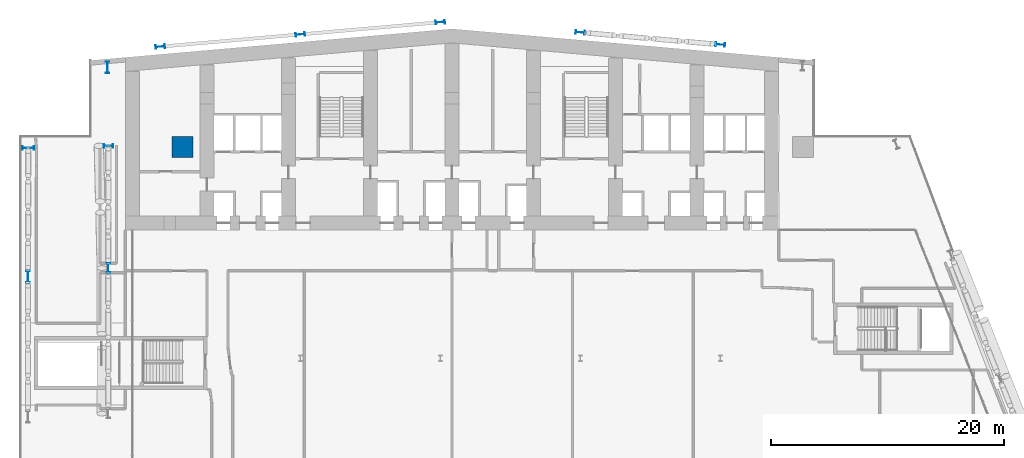
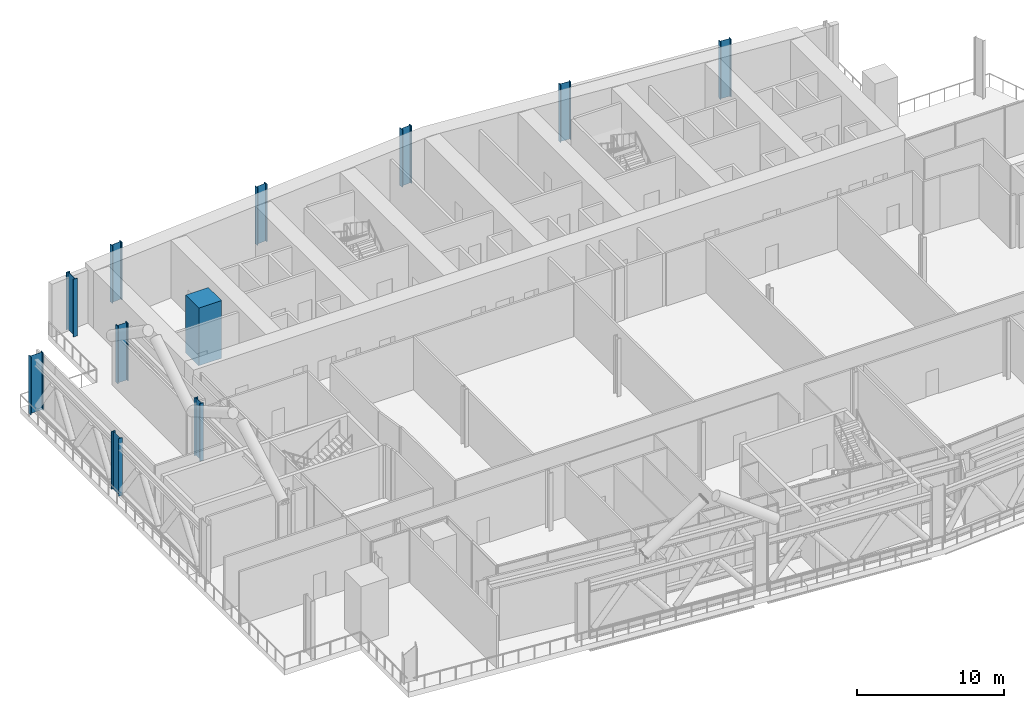
# One storey, part 3 of 39: 11 columns.
"""IFC4 building model written with IfcOpenShell, lengths in metres."""

from ifc_helpers import new_model, si_unit, direction, frame, origin, origin_2d, place, context, subcontext, project, spatial, rectangle, i_section, extrude, material, material_profile, profile_set, type_object, element, save


model = new_model("IFC4")

# Units and contexts
model_context = context("Model", 3, precision=1e-05, world=origin(), true_north=direction((0.0, 1.0)))
body_context = subcontext(model_context, "Body", "Model", "MODEL_VIEW")
ifc_project = project(units=[si_unit("LENGTHUNIT", "METRE"), si_unit("AREAUNIT", "SQUARE_METRE"), si_unit("VOLUMEUNIT", "CUBIC_METRE"), si_unit("PLANEANGLEUNIT", "RADIAN"), si_unit("MASSUNIT", "GRAM", prefix="KILO")], contexts=[model_context])

# Site, building, storey
site_placement = place(None, origin())
site = spatial("IfcSite", under=ifc_project, at=site_placement, CompositionType="ELEMENT")
building_placement = place(site_placement, origin())
building = spatial("IfcBuilding", under=site, at=building_placement, Name="Wharfspan Tower", CompositionType="ELEMENT")
storey_placement = place(building_placement, frame((0.0, 0.0, 91.899902)))
storey = spatial("IfcBuildingStorey", under=building, at=storey_placement, Name="L20", CompositionType="ELEMENT", Elevation=91.899902)

# Columns
ifc_material_1 = material(Name="Steel S355J2", Category="steel")
ifc_material_profile_1 = material_profile(ifc_material_1, i_section(OverallWidth=0.302002, OverallDepth=1.008057, WebThickness=0.020996, FlangeThickness=0.040039, FilletRadius=0.030029, at=origin_2d()))
ifc_profile_set_1 = profile_set([ifc_material_profile_1], Name="Steel S355J2")
column_type_1 = type_object("IfcColumnType", Name="Column HEM 1000", PredefinedType="COLUMN", material=ifc_profile_set_1)
for number, where, z_axis, x_axis, name in (
    (1, (7.466553, 47.933594, 0.0), (0.0, 0.0, 1.0), (-1.0, 0.0, 0.0), "Perimeter column PNRW-V.1.S L20"),
    (2, (0.684814, 41.03418, 0.0), (0.0, 0.0, 1.0), (0.0, 1.0, 0.0), "Perimeter column PNRW-H.1.S L20"),
    (3, (0.659912, 30.0, 0.0), (0.0, 0.0, 1.0), (-1.0, 0.0, 0.0), "Perimeter column PW.1.S L20"),
):
    element("IfcColumn", number, at=place(storey_placement, frame(where, z_axis=z_axis, x_axis=x_axis)), inside=storey, type_object=column_type_1, Name=name, PredefinedType="COLUMN", context=body_context, shape_type="SweptSolid", body=[
        extrude(i_section(OverallWidth=0.302002, OverallDepth=1.008057, WebThickness=0.020996, FlangeThickness=0.040039, FilletRadius=0.030029, at=origin_2d()), origin(), (0.0, 0.0, 1.0), 4.800049),
    ])
ifc_material_profile_2 = material_profile(ifc_material_1, i_section(OverallWidth=0.302979, OverallDepth=0.813965, WebThickness=0.020996, FlangeThickness=0.040039, FilletRadius=0.030029, at=origin_2d()))
ifc_profile_set_2 = profile_set([ifc_material_profile_2], Name="Steel S355J2")
column_type_2 = type_object("IfcColumnType", Name="Column HEM 800", PredefinedType="COLUMN", material=ifc_profile_set_2)
for number, where, z_axis, x_axis, name in (
    (4, (7.544434, 41.208008, 0.0), (0.0, 0.0, 1.0), (0.0, 1.0, 0.0), "Perimeter column PNRW-H.1 L20"),
    (5, (7.540039, 30.733398, 0.0), (0.0, 0.0, 1.0), (-1.0, 0.0, 0.0), "Perimeter column PW.1 L20"),
    (6, (12.0, 49.709961, 0.0), (0.0, 0.0, 1.0), (-0.087156, 0.996197, 0.0), "Rear column R.1 L20"),
    (7, (24.0, 50.759766, 0.0), (0.0, 0.0, 1.0), (-0.087156, 0.996197, 0.0), "Rear column R.2 L20"),
    (8, (36.0, 51.80957, 0.0), (0.0, 0.0, 1.0), (-0.087156, 0.996197, 0.0), "Rear column R.3 L20"),
    (9, (48.0, 50.934814, 0.0), (0.0, 0.0, 1.0), (0.087156, 0.996197, 0.0), "Rear column R.4 L20"),
    (10, (60.0, 49.884766, 0.0), (0.0, 0.0, 1.0), (0.087156, 0.996197, 0.0), "Rear column R.5 L20"),
):
    element("IfcColumn", number, at=place(storey_placement, frame(where, z_axis=z_axis, x_axis=x_axis)), inside=storey, type_object=column_type_2, Name=name, PredefinedType="COLUMN", context=body_context, shape_type="SweptSolid", body=[
        extrude(i_section(OverallWidth=0.302979, OverallDepth=0.813965, WebThickness=0.020996, FlangeThickness=0.040039, FilletRadius=0.030029, at=origin_2d()), origin(), (0.0, 0.0, 1.0), 4.800049),
    ])
ifc_material_2 = material(Name="Concrete C70/85", Category="concrete")
ifc_material_profile_3 = material_profile(ifc_material_2, rectangle(XDim=1.800049, YDim=1.800049, at=origin_2d()))
ifc_profile_set_3 = profile_set([ifc_material_profile_3], Name="Concrete C70/85")
column_type_3 = type_object("IfcColumnType", Name="Mega column 1800 C70/85", PredefinedType="COLUMN", material=ifc_profile_set_3)
column_placement = place(storey_placement, frame((13.899902, 41.100098, 0.0), z_axis=(0.0, 0.0, 1.0), x_axis=(1.0, 0.0, 0.0)))
element("IfcColumn", 11, at=column_placement, inside=storey, type_object=column_type_3, Name="Mega column MC2 L20", PredefinedType="COLUMN", context=body_context, shape_type="SweptSolid", body=[
    extrude(rectangle(XDim=1.800049, YDim=1.800049, at=origin_2d()), origin(), (0.0, 0.0, 1.0), 4.800049),
])

save(model, "model.ifc")
